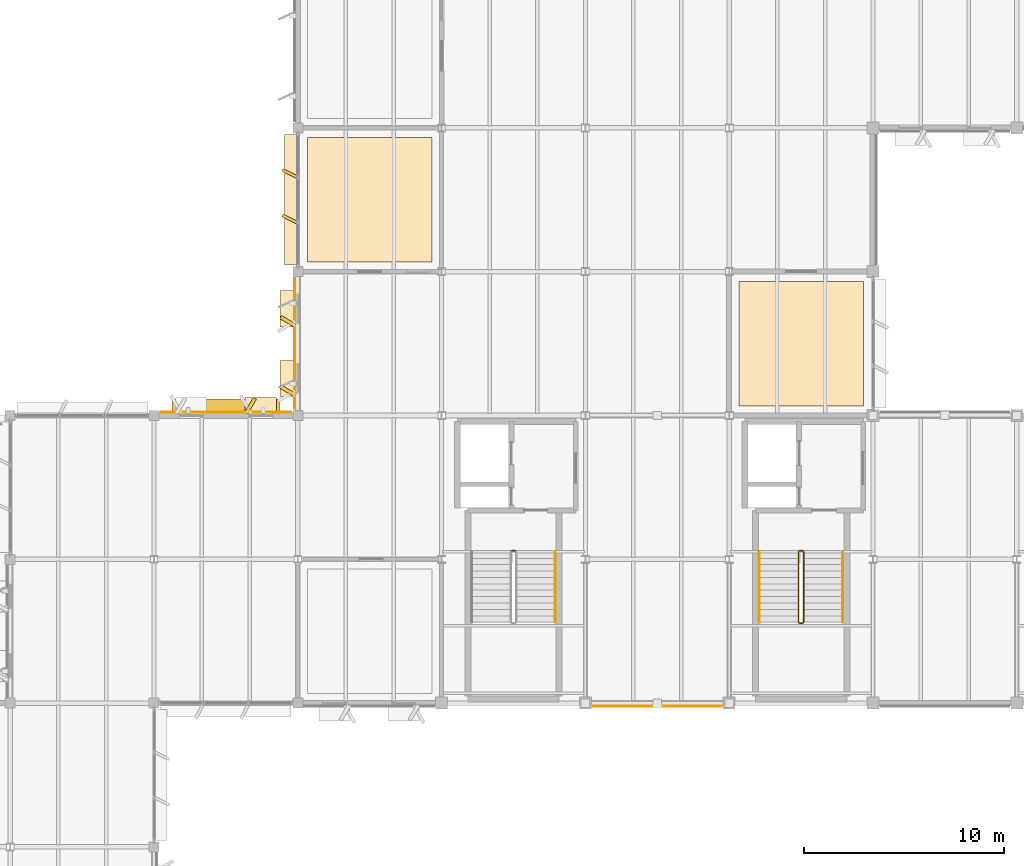
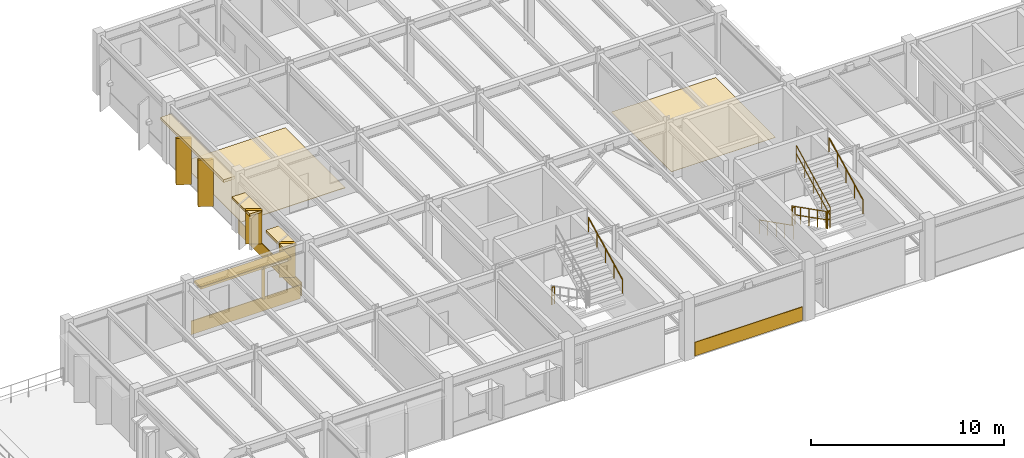
# One storey, part 78 of 82: 14 coverings, 8 railings, 1 shading device.
"""IFC4 building model written with IfcOpenShell, lengths in metres."""

from ifc_helpers import new_model, si_unit, direction, frame, frame_2d, origin, origin_2d, place, context, subcontext, project, spatial, polyline, rectangle, circle, outline, extrude, material, layer, layer_set, type_object, element, save


model = new_model("IFC4")

# Units and contexts
model_context = context("Model", 3, precision=1e-05, world=origin(), true_north=direction((0.0, 1.0)))
body_context = subcontext(model_context, "Body", "Model", "MODEL_VIEW")
ifc_project = project(units=[si_unit("LENGTHUNIT", "METRE"), si_unit("AREAUNIT", "SQUARE_METRE"), si_unit("VOLUMEUNIT", "CUBIC_METRE"), si_unit("PLANEANGLEUNIT", "RADIAN"), si_unit("MASSUNIT", "GRAM", prefix="KILO")], contexts=[model_context])

# Site, building, storey
site_placement = place(None, origin())
site = spatial("IfcSite", under=ifc_project, at=site_placement, CompositionType="ELEMENT")
building_placement = place(site_placement, origin())
building = spatial("IfcBuilding", under=site, at=building_placement, Name="Sillqori Civic Hall", CompositionType="ELEMENT")
storey_placement = place(building_placement, frame((0.0, 0.0, 14.10009765625)))
storey = spatial("IfcBuildingStorey", under=building, at=storey_placement, Name="L04", CompositionType="ELEMENT", Elevation=14.10009765625)

# Coverings
ifc_material_1 = material(Name="Cochabamba Honed Limestone Cladding", Category="masonry")
ifc_layer_1 = layer(ifc_material_1, 0.044921875)
ifc_layer_set_1 = layer_set([ifc_layer_1], Name="Cochabamba Honed Limestone Cladding")
covering_type_1 = type_object("IfcCoveringType", Name="COV-CLAD-LIME", PredefinedType="CLADDING", material=ifc_layer_set_1)
covering_1_placement = place(storey_placement, frame((36.330078125, 93.760009765625, 0.039794921875), z_axis=(0.0, 0.0, 1.0), x_axis=(1.0, 0.0, 0.0)))
element("IfcCovering", 1, at=covering_1_placement, inside=storey, type_object=covering_type_1, Name="L04 limestone spandrel cladding L04-05-12-N", PredefinedType="CLADDING", context=body_context, shape_type="SweptSolid", body=[
    extrude(rectangle(XDim=6.5400390625, YDim=0.044921875, at=frame_2d((3.27001953125, 0.0))), origin(), (0.0, 0.0, 1.0), 0.860107421875),
])
covering_2_placement = place(storey_placement, frame((40.6220703125, 93.719970703125, 0.829833984375), z_axis=(0.0, 0.0, 1.0), x_axis=(0.500062241894, 0.865989465428, 0.0)))
element("IfcCovering", 2, at=covering_2_placement, inside=storey, type_object=covering_type_1, Name="Sawtooth limestone angled reveal cheek L04-05-12-N.2", PredefinedType="CLADDING", context=body_context, shape_type="SweptSolid", body=[
    extrude(rectangle(XDim=0.85009765625, YDim=0.179931640625, at=frame_2d((0.425048828125, 0.0))), origin(), (0.0, 0.0, 1.0), 2.0),
])
covering_3_placement = place(storey_placement, frame((40.56201171875, 94.10009765625, 2.68994140625), z_axis=(0.0, 0.0, 1.0), x_axis=(1.0, 0.0, 0.0)))
element("IfcCovering", 3, at=covering_3_placement, inside=storey, type_object=covering_type_1, Name="Sawtooth limestone window hood L04-05-12-N.2", PredefinedType="CLADDING", context=body_context, shape_type="SweptSolid", body=[
    extrude(rectangle(XDim=1.56005859375, YDim=0.780029296875, at=frame_2d((0.780029296875, 0.0))), origin(), (0.0, 0.0, 1.0), 0.139892578125),
])
covering_4_placement = place(storey_placement, frame((43.0400390625, 93.929931640625, 0.039794921875), z_axis=(0.0, 0.0, 1.0), x_axis=(0.0, 1.0, 0.0)))
element("IfcCovering", 4, at=covering_4_placement, inside=storey, type_object=covering_type_1, Name="L04 limestone spandrel cladding L04-06-13-W", PredefinedType="CLADDING", context=body_context, shape_type="SweptSolid", body=[
    extrude(rectangle(XDim=6.5400390625, YDim=0.044921875, at=frame_2d((3.27001953125, 0.0))), origin(), (0.0, 0.0, 1.0), 0.860107421875),
])
covering_5_placement = place(storey_placement, frame((43.080078125, 94.613037109375, 0.829833984375), z_axis=(0.0, 0.0, 1.0), x_axis=(-0.865989465428, 0.500062241894, 0.0)))
element("IfcCovering", 5, at=covering_5_placement, inside=storey, type_object=covering_type_1, Name="Sawtooth limestone angled reveal cheek L04-06-13-W.1", PredefinedType="CLADDING", context=body_context, shape_type="SweptSolid", body=[
    extrude(rectangle(XDim=0.85009765625, YDim=0.179931640625, at=frame_2d((0.425048828125, 0.0))), origin(), (0.0, 0.0, 1.0), 2.150146484375),
])
covering_6_placement = place(storey_placement, frame((42.699951171875, 94.552978515625, 2.83984375), z_axis=(0.0, 0.0, 1.0), x_axis=(0.0, 1.0, 0.0)))
element("IfcCovering", 6, at=covering_6_placement, inside=storey, type_object=covering_type_1, Name="Sawtooth limestone window hood L04-06-13-W.1", PredefinedType="CLADDING", context=body_context, shape_type="SweptSolid", body=[
    extrude(rectangle(XDim=1.81005859375, YDim=0.780029296875, at=frame_2d((0.905029296875, 0.0))), origin(), (0.0, 0.0, 1.0), 0.14013671875),
])
covering_7_placement = place(storey_placement, frame((43.080078125, 98.096923828125, 0.829833984375), z_axis=(0.0, 0.0, 1.0), x_axis=(-0.865989465428, 0.500062241894, 0.0)))
element("IfcCovering", 7, at=covering_7_placement, inside=storey, type_object=covering_type_1, Name="Sawtooth limestone angled reveal cheek L04-06-13-W.2", PredefinedType="CLADDING", context=body_context, shape_type="SweptSolid", body=[
    extrude(rectangle(XDim=0.85009765625, YDim=0.179931640625, at=frame_2d((0.425048828125, 0.0))), origin(), (0.0, 0.0, 1.0), 2.150146484375),
])
covering_8_placement = place(storey_placement, frame((42.699951171875, 98.037109375, 2.83984375), z_axis=(0.0, 0.0, 1.0), x_axis=(0.0, 1.0, 0.0)))
element("IfcCovering", 8, at=covering_8_placement, inside=storey, type_object=covering_type_1, Name="Sawtooth limestone window hood L04-06-13-W.2", PredefinedType="CLADDING", context=body_context, shape_type="SweptSolid", body=[
    extrude(rectangle(XDim=1.809814453125, YDim=0.780029296875, at=frame_2d((0.90478515625, 0.0))), origin(), (0.0, 0.0, 1.0), 0.14013671875),
])
covering_9_placement = place(storey_placement, frame((42.8798828125, 101.1298828125, 3.011962890625), z_axis=(0.0, 0.0, 1.0), x_axis=(0.0, 1.0, 0.0)))
element("IfcCovering", 9, at=covering_9_placement, inside=storey, type_object=covering_type_1, Name="L04 curtain-wall limestone solar hood L04-06-14-W", PredefinedType="CLADDING", context=body_context, shape_type="SweptSolid", body=[
    extrude(rectangle(XDim=6.5400390625, YDim=0.679931640625, at=frame_2d((3.27001953125, 0.0))), origin(), (0.0, 0.0, 1.0), 0.179931640625),
])
for number, where, z_axis, x_axis, name in (
    (10, (43.14990234375, 103.260986328125, 0.059814453125), (0.0, 0.0, 1.0), (-0.894366527193, 0.447334902547, 0.0), "L04 curtain-wall angled stone fin L04-06-14-W.1"),
    (11, (43.14990234375, 105.5390625, 0.059814453125), (0.0, 0.0, 1.0), (-0.894487846579, 0.44709226377, 0.0), "L04 curtain-wall angled stone fin L04-06-14-W.2"),
):
    element("IfcCovering", number, at=place(storey_placement, frame(where, z_axis=z_axis, x_axis=x_axis)), inside=storey, type_object=covering_type_1, Name=name, PredefinedType="CLADDING", context=body_context, shape_type="SweptSolid", body=[
        extrude(rectangle(XDim=0.804931640625, YDim=0.139892578125, at=frame_2d((0.40234375, 0.0))), origin(), (0.0, 0.0, 1.0), 2.9521484375),
    ])
covering_10_placement = place(storey_placement, frame((64.419921875, 79.0400390625, 0.039794921875), z_axis=(0.0, 0.0, 1.0), x_axis=(-1.0, 0.0, 0.0)))
element("IfcCovering", 12, at=covering_10_placement, inside=storey, type_object=covering_type_1, Name="L04 limestone spandrel cladding L04-08-11-S", PredefinedType="CLADDING", context=body_context, shape_type="SweptSolid", body=[
    extrude(rectangle(XDim=6.43994140625, YDim=0.044921875, at=frame_2d((3.219970703125, 0.0))), origin(), (0.0, 0.0, 1.0), 0.860107421875),
])
ifc_material_2 = material(Name="Dust-Sealed Heavy-Duty Archive Epoxy", Category="resin")
ifc_layer_2 = layer(ifc_material_2, 0.014892578125)
ifc_layer_set_2 = layer_set([ifc_layer_2], Name="Dust-Sealed Heavy-Duty Archive Epoxy")
covering_type_2 = type_object("IfcCoveringType", Name="COV-FLR-EPX", PredefinedType="FLOORING", material=ifc_layer_set_2)
covering_11_placement = place(storey_placement, origin())
element("IfcCovering", 13, at=covering_11_placement, inside=storey, type_object=covering_type_2, Name="Municipal IT Network Operations Centre floor finish", PredefinedType="FLOORING", context=body_context, shape_type="SweptSolid", body=[
    extrude(outline(polyline([(65.280029296875, 94.080078125), (71.52001953125, 94.080078125), (71.52001953125, 100.320068359375), (65.280029296875, 100.320068359375), (65.280029296875, 94.080078125)])), origin(), (0.0, 0.0, 1.0), 0.014892578125),
])
ifc_material_3 = material(Name="Honed Cochabamba Limestone Terrazzo", Category="masonry")
ifc_layer_3 = layer(ifc_material_3, 0.031982421875)
ifc_layer_set_3 = layer_set([ifc_layer_3], Name="Honed Cochabamba Limestone Terrazzo")
covering_type_3 = type_object("IfcCoveringType", Name="COV-FLR-TRZ", PredefinedType="FLOORING", material=ifc_layer_set_3)
covering_12_placement = place(storey_placement, origin())
element("IfcCovering", 14, at=covering_12_placement, inside=storey, type_object=covering_type_3, Name="Revenue Accounting and Procurement Office floor finish", PredefinedType="FLOORING", context=body_context, shape_type="SweptSolid", body=[
    extrude(outline(polyline([(43.679931640625, 101.280029296875), (49.919921875, 101.280029296875), (49.919921875, 107.52001953125), (43.679931640625, 107.52001953125), (43.679931640625, 101.280029296875)])), origin(), (0.0, 0.0, 1.0), 0.031982421875),
])

# Railings
ifc_material_4 = material(Name="Brushed Stainless Steel 316 Handrail", Category="steel")
ifc_layer_4 = layer(ifc_material_4, 0.044921875)
ifc_layer_set_4 = layer_set([ifc_layer_4], Name="Brushed Stainless Steel 316 Handrail")
railing_type_1 = type_object("IfcRailingType", Name="RLG-CORE-092", PredefinedType="HANDRAIL", material=ifc_layer_set_4)
railing_1_placement = place(storey_placement, frame((56.090087890625, 83.25, 2.1123046875)))
element("IfcRailing", 15, at=railing_1_placement, inside=storey, type_object=railing_type_1, Name="L04 ST-05 stair handrail 2", PredefinedType="HANDRAIL", context=body_context, shape_type="SweptSolid", body=[
    extrude(circle(Radius=0.02392578125, at=origin_2d()), frame((0.0, 0.0, 0.8759765625), z_axis=(0.0, 0.891614535321, 0.452795230103), x_axis=(-1.0, 0.0, 0.0)), (0.0, 0.0, 1.0), 3.947998046875),
    extrude(circle(Radius=0.02099609375, at=origin_2d()), origin(), (0.0, 0.0, 1.0), 0.851806640625),
    extrude(circle(Radius=0.02099609375, at=origin_2d()), frame((0.0, 0.8798828125, 0.44677734375)), (0.0, 0.0, 1.0), 0.851806640625),
    extrude(circle(Radius=0.02099609375, at=origin_2d()), frame((0.0, 1.760009765625, 0.893798828125)), (0.0, 0.0, 1.0), 0.851806640625),
    extrude(circle(Radius=0.02099609375, at=origin_2d()), frame((0.0, 2.64013671875, 1.3408203125)), (0.0, 0.0, 1.0), 0.851806640625),
    extrude(circle(Radius=0.02099609375, at=origin_2d()), frame((0.0, 3.52001953125, 1.78759765625)), (0.0, 0.0, 1.0), 0.851806640625),
])
railing_2_placement = place(storey_placement, frame((66.31005859375, 86.77001953125, 0.162353515625)))
element("IfcRailing", 16, at=railing_2_placement, inside=storey, type_object=railing_type_1, Name="L04 ST-06 stair handrail 1", PredefinedType="HANDRAIL", context=body_context, shape_type="SweptSolid", body=[
    extrude(circle(Radius=0.02392578125, at=origin_2d()), frame((0.0, 0.0, 0.8759765625), z_axis=(0.0, -0.891614535321, 0.452795230103), x_axis=(1.0, 0.0, 0.0)), (0.0, 0.0, 1.0), 3.947998046875),
    extrude(circle(Radius=0.02099609375, at=origin_2d()), origin(), (0.0, 0.0, 1.0), 0.851806640625),
    extrude(circle(Radius=0.02099609375, at=origin_2d()), frame((0.0, -0.8798828125, 0.44677734375)), (0.0, 0.0, 1.0), 0.851806640625),
    extrude(circle(Radius=0.02099609375, at=origin_2d()), frame((0.0, -1.760009765625, 0.893798828125)), (0.0, 0.0, 1.0), 0.851806640625),
    extrude(circle(Radius=0.02099609375, at=origin_2d()), frame((0.0, -2.64013671875, 1.3408203125)), (0.0, 0.0, 1.0), 0.851806640625),
    extrude(circle(Radius=0.02099609375, at=origin_2d()), frame((0.0, -3.52001953125, 1.78759765625)), (0.0, 0.0, 1.0), 0.851806640625),
])
railing_3_placement = place(storey_placement, frame((70.489990234375, 83.25, 2.1123046875)))
element("IfcRailing", 17, at=railing_3_placement, inside=storey, type_object=railing_type_1, Name="L04 ST-06 stair handrail 2", PredefinedType="HANDRAIL", context=body_context, shape_type="SweptSolid", body=[
    extrude(circle(Radius=0.02392578125, at=origin_2d()), frame((0.0, 0.0, 0.8759765625), z_axis=(0.0, 0.891614535321, 0.452795230103), x_axis=(-1.0, 0.0, 0.0)), (0.0, 0.0, 1.0), 3.947998046875),
    extrude(circle(Radius=0.02099609375, at=origin_2d()), origin(), (0.0, 0.0, 1.0), 0.851806640625),
    extrude(circle(Radius=0.02099609375, at=origin_2d()), frame((0.0, 0.8798828125, 0.44677734375)), (0.0, 0.0, 1.0), 0.851806640625),
    extrude(circle(Radius=0.02099609375, at=origin_2d()), frame((0.0, 1.760009765625, 0.893798828125)), (0.0, 0.0, 1.0), 0.851806640625),
    extrude(circle(Radius=0.02099609375, at=origin_2d()), frame((0.0, 2.64013671875, 1.3408203125)), (0.0, 0.0, 1.0), 0.851806640625),
    extrude(circle(Radius=0.02099609375, at=origin_2d()), frame((0.0, 3.52001953125, 1.78759765625)), (0.0, 0.0, 1.0), 0.851806640625),
])
ifc_material_5 = material(Name="Galvanized Painted Steel Guardrail", Category="steel")
ifc_layer_5 = layer(ifc_material_5, 0.050048828125)
ifc_layer_set_5 = layer_set([ifc_layer_5], Name="Galvanized Painted Steel Guardrail")
railing_type_2 = type_object("IfcRailingType", Name="RLG-CORE-110", PredefinedType="GUARDRAIL", material=ifc_layer_set_5)
railing_4_placement = place(storey_placement, frame((53.919921875, 86.820068359375, 0.0)))
element("IfcRailing", 18, at=railing_4_placement, inside=storey, type_object=railing_type_2, Name="L04 ST-05 stair guard 4", PredefinedType="GUARDRAIL", context=body_context, shape_type="SweptSolid", body=[
    extrude(circle(Radius=0.02392578125, at=origin_2d()), frame((0.0, 0.0, 1.076171875), z_axis=(1.0, 0.0, 0.0), x_axis=(0.0, 1.0, 0.0)), (0.0, 0.0, 1.0), 0.16015625),
    extrude(circle(Radius=0.02392578125, at=origin_2d()), frame((0.0, 0.0, 0.550048828125), z_axis=(1.0, 0.0, 0.0), x_axis=(0.0, 1.0, 0.0)), (0.0, 0.0, 1.0), 0.16015625),
    extrude(circle(Radius=0.02099609375, at=origin_2d()), origin(), (0.0, 0.0, 1.0), 1.052001953125),
    extrude(circle(Radius=0.02099609375, at=origin_2d()), frame((0.16015625, 0.0, 0.0)), (0.0, 0.0, 1.0), 1.052001953125),
])
railing_5_placement = place(storey_placement, frame((68.27001953125, 86.77001953125, 0.162353515625)))
element("IfcRailing", 19, at=railing_5_placement, inside=storey, type_object=railing_type_2, Name="L04 ST-06 stair guard 1", PredefinedType="GUARDRAIL", context=body_context, shape_type="SweptSolid", body=[
    extrude(circle(Radius=0.02392578125, at=origin_2d()), frame((0.0, 0.0, 1.076171875), z_axis=(0.0, -0.891614535321, 0.452795230103), x_axis=(1.0, 0.0, 0.0)), (0.0, 0.0, 1.0), 3.947998046875),
    extrude(circle(Radius=0.02392578125, at=origin_2d()), frame((0.0, 0.0, 0.550048828125), z_axis=(0.0, -0.891614535321, 0.452795230103), x_axis=(1.0, 0.0, 0.0)), (0.0, 0.0, 1.0), 3.947998046875),
    extrude(circle(Radius=0.02099609375, at=origin_2d()), origin(), (0.0, 0.0, 1.0), 1.052001953125),
    extrude(circle(Radius=0.02099609375, at=origin_2d()), frame((0.0, -0.8798828125, 0.44677734375)), (0.0, 0.0, 1.0), 1.052001953125),
    extrude(circle(Radius=0.02099609375, at=origin_2d()), frame((0.0, -1.760009765625, 0.893798828125)), (0.0, 0.0, 1.0), 1.052001953125),
    extrude(circle(Radius=0.02099609375, at=origin_2d()), frame((0.0, -2.64013671875, 1.3408203125)), (0.0, 0.0, 1.0), 1.052001953125),
    extrude(circle(Radius=0.02099609375, at=origin_2d()), frame((0.0, -3.52001953125, 1.78759765625)), (0.0, 0.0, 1.0), 1.052001953125),
])
railing_6_placement = place(storey_placement, frame((68.320068359375, 83.199951171875, 1.949951171875)))
element("IfcRailing", 20, at=railing_6_placement, inside=storey, type_object=railing_type_2, Name="L04 ST-06 stair guard 2", PredefinedType="GUARDRAIL", context=body_context, shape_type="SweptSolid", body=[
    extrude(circle(Radius=0.02392578125, at=origin_2d()), frame((0.0, 0.0, 1.076171875), z_axis=(1.0, 0.0, 0.0), x_axis=(0.0, 1.0, 0.0)), (0.0, 0.0, 1.0), 0.159912109375),
    extrude(circle(Radius=0.02392578125, at=origin_2d()), frame((0.0, 0.0, 0.550048828125), z_axis=(1.0, 0.0, 0.0), x_axis=(0.0, 1.0, 0.0)), (0.0, 0.0, 1.0), 0.159912109375),
    extrude(circle(Radius=0.02099609375, at=origin_2d()), origin(), (0.0, 0.0, 1.0), 1.052001953125),
    extrude(circle(Radius=0.02099609375, at=origin_2d()), frame((0.159912109375, 0.0, 0.0)), (0.0, 0.0, 1.0), 1.052001953125),
])
railing_7_placement = place(storey_placement, frame((68.530029296875, 83.25, 2.1123046875)))
element("IfcRailing", 21, at=railing_7_placement, inside=storey, type_object=railing_type_2, Name="L04 ST-06 stair guard 3", PredefinedType="GUARDRAIL", context=body_context, shape_type="SweptSolid", body=[
    extrude(circle(Radius=0.02392578125, at=origin_2d()), frame((0.0, 0.0, 1.076171875), z_axis=(0.0, 0.891614535321, 0.452795230103), x_axis=(-1.0, 0.0, 0.0)), (0.0, 0.0, 1.0), 3.947998046875),
    extrude(circle(Radius=0.02392578125, at=origin_2d()), frame((0.0, 0.0, 0.550048828125), z_axis=(0.0, 0.891614535321, 0.452795230103), x_axis=(-1.0, 0.0, 0.0)), (0.0, 0.0, 1.0), 3.947998046875),
    extrude(circle(Radius=0.02099609375, at=origin_2d()), origin(), (0.0, 0.0, 1.0), 1.052001953125),
    extrude(circle(Radius=0.02099609375, at=origin_2d()), frame((0.0, 0.8798828125, 0.44677734375)), (0.0, 0.0, 1.0), 1.052001953125),
    extrude(circle(Radius=0.02099609375, at=origin_2d()), frame((0.0, 1.760009765625, 0.893798828125)), (0.0, 0.0, 1.0), 1.052001953125),
    extrude(circle(Radius=0.02099609375, at=origin_2d()), frame((0.0, 2.64013671875, 1.3408203125)), (0.0, 0.0, 1.0), 1.052001953125),
    extrude(circle(Radius=0.02099609375, at=origin_2d()), frame((0.0, 3.52001953125, 1.78759765625)), (0.0, 0.0, 1.0), 1.052001953125),
])
railing_8_placement = place(storey_placement, frame((68.320068359375, 86.820068359375, 0.0)))
element("IfcRailing", 22, at=railing_8_placement, inside=storey, type_object=railing_type_2, Name="L04 ST-06 stair guard 4", PredefinedType="GUARDRAIL", context=body_context, shape_type="SweptSolid", body=[
    extrude(circle(Radius=0.02392578125, at=origin_2d()), frame((0.0, 0.0, 1.076171875), z_axis=(1.0, 0.0, 0.0), x_axis=(0.0, 1.0, 0.0)), (0.0, 0.0, 1.0), 0.159912109375),
    extrude(circle(Radius=0.02392578125, at=origin_2d()), frame((0.0, 0.0, 0.550048828125), z_axis=(1.0, 0.0, 0.0), x_axis=(0.0, 1.0, 0.0)), (0.0, 0.0, 1.0), 0.159912109375),
    extrude(circle(Radius=0.02099609375, at=origin_2d()), origin(), (0.0, 0.0, 1.0), 1.052001953125),
    extrude(circle(Radius=0.02099609375, at=origin_2d()), frame((0.159912109375, 0.0, 0.0)), (0.0, 0.0, 1.0), 1.052001953125),
])

# Shading device
ifc_material_6 = material(Name="Anodized Aluminium Solar Control Louvre", Category="aluminium")
shading_device_type = type_object("IfcShadingDeviceType", Name="SHD-HOOD-540", PredefinedType="JALOUSIE", material=ifc_material_6)
shading_device_placement = place(storey_placement, frame((39.60009765625, 94.074951171875, 2.7197265625), z_axis=(0.0, 0.0, 1.0), x_axis=(1.0, 0.0, 0.0)))
element("IfcShadingDevice", 23, at=shading_device_placement, inside=storey, type_object=shading_device_type, Name="L04 north solar hood L04-05-12-N", PredefinedType="JALOUSIE", context=body_context, shape_type="SweptSolid", body=[
    extrude(rectangle(XDim=5.39990234375, YDim=0.699951171875, at=origin_2d()), origin(), (0.0, 0.0, 1.0), 0.139892578125),
])

save(model, "model.ifc")
